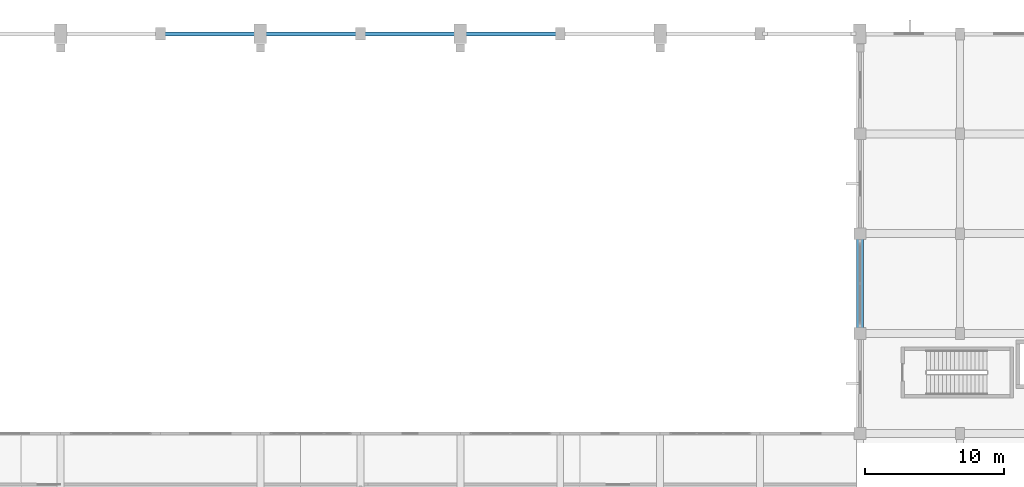
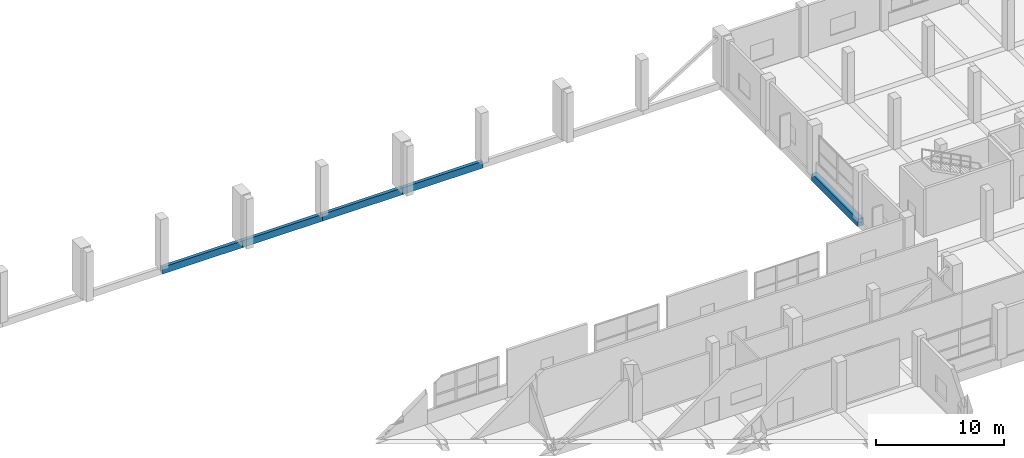
# One storey, part 101 of 181: 5 beams.
"""IFC4 building model written with IfcOpenShell, lengths in metres."""

from ifc_helpers import new_model, si_unit, direction, frame, origin, origin_2d, place, context, subcontext, project, spatial, rectangle, extrude, material, material_profile, profile_set, type_object, element, save


model = new_model("IFC4")

# Units and contexts
model_context = context("Model", 3, precision=1e-05, world=origin(), true_north=direction((0.0, 1.0)))
body_context = subcontext(model_context, "Body", "Model", "MODEL_VIEW")
ifc_project = project(units=[si_unit("LENGTHUNIT", "METRE"), si_unit("AREAUNIT", "SQUARE_METRE"), si_unit("VOLUMEUNIT", "CUBIC_METRE"), si_unit("PLANEANGLEUNIT", "RADIAN"), si_unit("MASSUNIT", "GRAM", prefix="KILO")], contexts=[model_context])

# Site, building, storey
site_placement = place(None, origin())
site = spatial("IfcSite", under=ifc_project, at=site_placement, CompositionType="ELEMENT")
building_placement = place(site_placement, origin())
building = spatial("IfcBuilding", under=site, at=building_placement, Name="Seraya Terrace Polytechnic", CompositionType="ELEMENT")
storey_placement = place(building_placement, frame((0.0, 0.0, 4.800048828125)))
storey = spatial("IfcBuildingStorey", under=building, at=storey_placement, Name="L01", CompositionType="ELEMENT", Elevation=4.800048828125)

# Beams
ifc_material = material(Name="Concrete C40/50", Category="concrete")
ifc_material_profile_1 = material_profile(ifc_material, rectangle(XDim=0.5, YDim=0.699951171875, at=origin_2d()), Name="RC 500x700")
ifc_profile_set_1 = profile_set([ifc_material_profile_1], Name="Concrete C40/50")
beam_type_1 = type_object("IfcBeamType", Name="BM-07", PredefinedType="BEAM", material=ifc_profile_set_1)
beam_1_placement = place(storey_placement, frame((115.199951171875, 93.60009765625, -0.35009765625), z_axis=(0.0, 1.0, 0.0), x_axis=(-1.0, 0.0, 0.0)))
element("IfcBeam", 1, at=beam_1_placement, inside=storey, type_object=beam_type_1, Name="Beam BM-07 L01 Y (115.2, 93.6..100.8)", PredefinedType="BEAM", context=body_context, shape_type="SweptSolid", body=[
    extrude(rectangle(XDim=0.5, YDim=0.699951171875, at=origin_2d()), origin(), (0.0, 0.0, 1.0), 7.199951171875),
])
ifc_material_profile_2 = material_profile(ifc_material, rectangle(XDim=0.300048828125, YDim=0.64990234375, at=origin_2d()), Name="RC 300x650")
ifc_profile_set_2 = profile_set([ifc_material_profile_2], Name="Concrete C40/50")
beam_type_2 = type_object("IfcBeamType", Name="SP-01", PredefinedType="SPANDREL", material=ifc_profile_set_2)
for number, where, z_axis, x_axis, name in (
    (2, (64.800048828125, 115.199951171875, -0.324951171875), (1.0, 0.0, 0.0), (0.0, 1.0, 0.0), "Beam SP-01 L01 X (64.8..72.0, 115.2)"),
    (3, (72.0, 115.199951171875, -0.324951171875), (1.0, 0.0, 0.0), (0.0, 1.0, 0.0), "Beam SP-01 L01 X (72.0..79.2, 115.2)"),
    (4, (79.199951171875, 115.199951171875, -0.324951171875), (1.0, 0.0, 0.0), (0.0, 1.0, 0.0), "Beam SP-01 L01 X (79.2..86.4, 115.2)"),
):
    element("IfcBeam", number, at=place(storey_placement, frame(where, z_axis=z_axis, x_axis=x_axis)), inside=storey, type_object=beam_type_2, Name=name, PredefinedType="SPANDREL", context=body_context, shape_type="SweptSolid", body=[
        extrude(rectangle(XDim=0.300048828125, YDim=0.64990234375, at=origin_2d()), origin(), (0.0, 0.0, 1.0), 7.199951171875),
    ])
beam_2_placement = place(storey_placement, frame((86.39990234375, 115.199951171875, -0.324951171875), z_axis=(1.0, 0.0, 0.0), x_axis=(0.0, 1.0, 0.0)))
element("IfcBeam", 5, at=beam_2_placement, inside=storey, type_object=beam_type_2, Name="Beam SP-01 L01 X (86.4..93.6, 115.2)", PredefinedType="SPANDREL", context=body_context, shape_type="SweptSolid", body=[
    extrude(rectangle(XDim=0.300048828125, YDim=0.64990234375, at=origin_2d()), origin(), (0.0, 0.0, 1.0), 7.2001953125),
])

save(model, "model.ifc")
